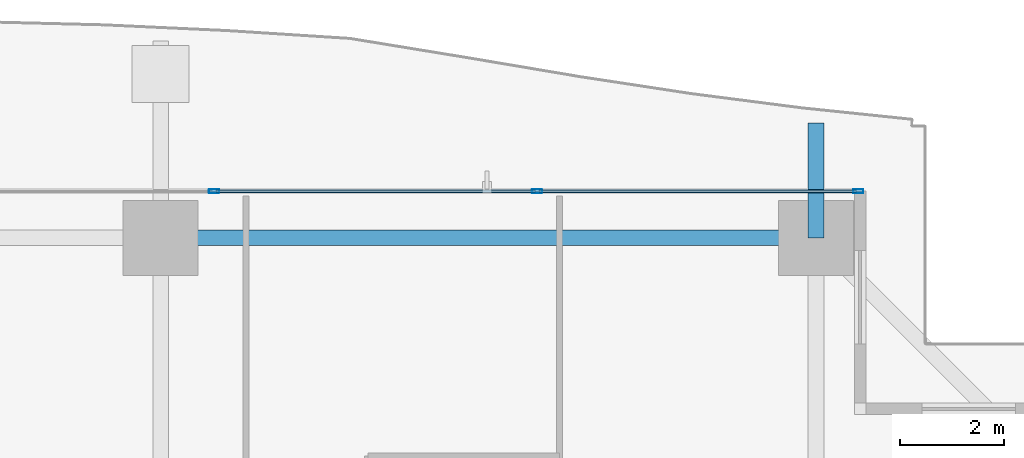
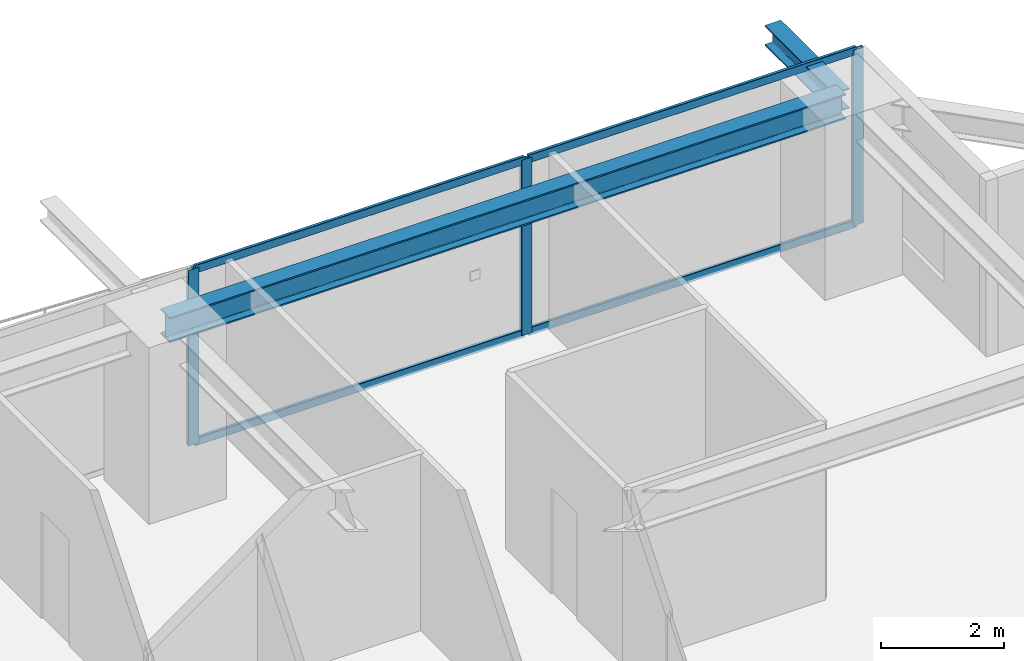
# One storey, part 25 of 39: 7 members, 2 beams, 1 element without a shape of its own.
"""IFC4 building model written with IfcOpenShell, lengths in metres."""

from ifc_helpers import new_model, si_unit, direction, frame, origin, origin_2d, place, context, subcontext, project, spatial, hollow_rectangle, i_section, extrude, source, transform, mapped, material, layer, layer_set, material_profile, profile_set, type_object, element, aggregate, save


model = new_model("IFC4")

# Units and contexts
model_context = context("Model", 3, precision=1e-05, world=origin(), true_north=direction((0.0, 1.0)))
body_context = subcontext(model_context, "Body", "Model", "MODEL_VIEW")
ifc_project = project(units=[si_unit("LENGTHUNIT", "METRE"), si_unit("AREAUNIT", "SQUARE_METRE"), si_unit("VOLUMEUNIT", "CUBIC_METRE"), si_unit("PLANEANGLEUNIT", "RADIAN"), si_unit("MASSUNIT", "GRAM", prefix="KILO")], contexts=[model_context])

# Site, building, storey
site_placement = place(None, origin())
site = spatial("IfcSite", under=ifc_project, at=site_placement, CompositionType="ELEMENT")
building_placement = place(site_placement, origin())
building = spatial("IfcBuilding", under=site, at=building_placement, Name="Serunith Strait Residences", CompositionType="ELEMENT")
storey_placement = place(building_placement, frame((0.0, 0.0, 97.949951171875)))
storey = spatial("IfcBuildingStorey", under=building, at=storey_placement, Name="L24", CompositionType="ELEMENT", Elevation=97.949951171875)

# Beams
ifc_material_1 = material(Name="Steel S355J2", Category="steel")
ifc_material_profile_1 = material_profile(ifc_material_1, i_section(OverallWidth=0.300048828125, OverallDepth=0.5, WebThickness=0.014404296875, FlangeThickness=0.028076171875, FilletRadius=0.027099609375, at=origin_2d()), Name="HEB 500")
ifc_profile_set_1 = profile_set([ifc_material_profile_1], Name="Steel S355J2")
beam_type_1 = type_object("IfcBeamType", Name="BM-HEB500", PredefinedType="BEAM", material=ifc_profile_set_1)
shared_shape_1 = source(origin(), body_context, "Body", "SweptSolid", [
    extrude(i_section(OverallWidth=0.300048828125, OverallDepth=0.5, WebThickness=0.014404296875, FlangeThickness=0.028076171875, FilletRadius=0.027099609375, at=origin_2d()), origin(), (0.0, 0.0, 1.0), 12.650146484375),
])
beam_1_placement = place(storey_placement, frame((49.550048828125, 49.300048828125, 3.237060546875), z_axis=(-1.0, 0.0, 0.0), x_axis=(0.0, -1.0, 0.0)))
element("IfcBeam", 1, at=beam_1_placement, inside=storey, type_object=beam_type_1, Name="L24 Perimeter Ring Beam 09", PredefinedType="BEAM", context=body_context, shape_type="MappedRepresentation", body=[
    mapped(shared_shape_1, transform((0.0, 0.0, 0.0), scale=1.0)),
])
ifc_material_profile_2 = material_profile(ifc_material_1, i_section(OverallWidth=0.300048828125, OverallDepth=0.39990234375, WebThickness=0.013427734375, FlangeThickness=0.02392578125, FilletRadius=0.027099609375, at=origin_2d()), Name="HEB 400")
ifc_profile_set_2 = profile_set([ifc_material_profile_2], Name="Steel S355J2")
beam_type_2 = type_object("IfcBeamType", Name="BM-HEB400", PredefinedType="BEAM", material=ifc_profile_set_2)
shared_shape_2 = source(origin(), body_context, "Body", "SweptSolid", [
    extrude(i_section(OverallWidth=0.300048828125, OverallDepth=0.39990234375, WebThickness=0.013427734375, FlangeThickness=0.02392578125, FilletRadius=0.027099609375, at=origin_2d()), origin(), (0.0, 0.0, 1.0), 2.218994140625),
])
beam_2_placement = place(storey_placement, frame((49.550048828125, 49.300048828125, 3.257080078125), z_axis=(0.0, 1.0, 0.0), x_axis=(-1.0, 0.0, 0.0)))
element("IfcBeam", 2, at=beam_2_placement, inside=storey, type_object=beam_type_2, Name="L25 Cantilevered Balcony Rib TC-N4", PredefinedType="BEAM", context=body_context, shape_type="MappedRepresentation", body=[
    mapped(shared_shape_2, transform((0.0, 0.0, 0.0), scale=1.0)),
])

# Curtain wall, members
ifc_material_2 = material(Name="Pale-Champagne Anodised Aluminium", Category="aluminium")
ifc_layer = layer(ifc_material_2, 0.199951171875, Name="Pale-Champagne Anodised Aluminium")
ifc_layer_set = layer_set([ifc_layer], Name="Pale-Champagne Anodised Aluminium")
curtain_wall_type = type_object("IfcCurtainWallType", Name="CW-SYS1", PredefinedType="NOTDEFINED", material=ifc_layer_set)
curtain_wall_placement = place(storey_placement, origin())
curtain_wall = element("IfcCurtainWall", 3, at=curtain_wall_placement, inside=storey, type_object=curtain_wall_type, Name="L24 N Unitised Fritted Curtain Wall", PredefinedType="NOTDEFINED")
ifc_material_profile_3 = material_profile(ifc_material_2, hollow_rectangle(XDim=0.070068359375, YDim=0.199951171875, WallThickness=0.00390625, InnerFilletRadius=0.006103515625, OuterFilletRadius=0.010009765625, at=origin_2d()), Name="ALU 200x70x4")
ifc_profile_set_3 = profile_set([ifc_material_profile_3], Name="Pale-Champagne Anodised Aluminium")
member_type_1 = type_object("IfcMemberType", Name="CW-SYS1-MULL", PredefinedType="MULLION", material=ifc_profile_set_3)
shared_shape_3 = source(origin(), body_context, "Body", "SweptSolid", [
    extrude(hollow_rectangle(XDim=0.070068359375, YDim=0.199951171875, WallThickness=0.00390625, InnerFilletRadius=0.006103515625, OuterFilletRadius=0.010009765625, at=origin_2d()), origin(), (0.0, 0.0, 1.0), 3.47509765625),
])
member_1_placement = place(storey_placement, frame((50.364990234375, 50.199951171875, 0.0), z_axis=(0.0, 0.0, 1.0), x_axis=(0.0, -1.0, 0.0)))
member_1 = element("IfcMember", 4, at=member_1_placement, type_object=member_type_1, Name="CW-1 mullion 1", PredefinedType="MULLION", context=body_context, shape_type="MappedRepresentation", body=[
    mapped(shared_shape_3, transform((0.0, 0.0, 0.0), scale=1.0)),
])
member_2_placement = place(storey_placement, frame((44.166748046875, 50.199951171875, 0.0), z_axis=(0.0, 0.0, 1.0), x_axis=(0.0, -1.0, 0.0)))
member_2 = element("IfcMember", 5, at=member_2_placement, type_object=member_type_1, Name="CW-1 mullion 2", PredefinedType="MULLION", context=body_context, shape_type="MappedRepresentation", body=[
    mapped(shared_shape_3, transform((0.0, 0.0, 0.0), scale=1.0)),
])
member_3_placement = place(storey_placement, frame((37.933349609375, 50.199951171875, 0.0), z_axis=(0.0, 0.0, 1.0), x_axis=(0.0, -1.0, 0.0)))
member_3 = element("IfcMember", 6, at=member_3_placement, type_object=member_type_1, Name="CW-1 mullion 3", PredefinedType="MULLION", context=body_context, shape_type="MappedRepresentation", body=[
    mapped(shared_shape_3, transform((0.0, 0.0, 0.0), scale=1.0)),
])
ifc_material_profile_4 = material_profile(ifc_material_2, hollow_rectangle(XDim=0.06005859375, YDim=0.159912109375, WallThickness=0.00341796875, InnerFilletRadius=0.00537109375, OuterFilletRadius=0.0087890625, at=origin_2d()), Name="ALU 160x60x3.5")
ifc_profile_set_4 = profile_set([ifc_material_profile_4], Name="Pale-Champagne Anodised Aluminium")
member_type_2 = type_object("IfcMemberType", Name="CW-SYS1-TRAN", PredefinedType="USERDEFINED", material=ifc_profile_set_4)
shared_shape_4 = source(origin(), body_context, "Body", "SweptSolid", [
    extrude(hollow_rectangle(XDim=0.06005859375, YDim=0.159912109375, WallThickness=0.00341796875, InnerFilletRadius=0.00537109375, OuterFilletRadius=0.0087890625, at=origin_2d()), origin(), (0.0, 0.0, 1.0), 6.12841796875),
])
member_4_placement = place(storey_placement, frame((50.330078125, 50.199951171875, 0.030029296875), z_axis=(-1.0, 0.0, 0.0), x_axis=(0.0, -1.0, 0.0)))
member_4 = element("IfcMember", 7, at=member_4_placement, type_object=member_type_2, Name="CW-1 transom 1.1", ObjectType="TRANSOM", PredefinedType="USERDEFINED", context=body_context, shape_type="MappedRepresentation", body=[
    mapped(shared_shape_4, transform((0.0, 0.0, 0.0), scale=1.0)),
])
member_5_placement = place(storey_placement, frame((50.330078125, 50.199951171875, 3.445068359375), z_axis=(-1.0, 0.0, 0.0), x_axis=(0.0, -1.0, 0.0)))
member_5 = element("IfcMember", 8, at=member_5_placement, type_object=member_type_2, Name="CW-1 transom 1.2", ObjectType="TRANSOM", PredefinedType="USERDEFINED", context=body_context, shape_type="MappedRepresentation", body=[
    mapped(shared_shape_4, transform((0.0, 0.0, 0.0), scale=1.0)),
])
shared_shape_5 = source(origin(), body_context, "Body", "SweptSolid", [
    extrude(hollow_rectangle(XDim=0.06005859375, YDim=0.159912109375, WallThickness=0.00341796875, InnerFilletRadius=0.00537109375, OuterFilletRadius=0.0087890625, at=origin_2d()), origin(), (0.0, 0.0, 1.0), 6.163330078125),
])
member_6_placement = place(storey_placement, frame((44.131591796875, 50.199951171875, 0.030029296875), z_axis=(-1.0, 0.0, 0.0), x_axis=(0.0, -1.0, 0.0)))
member_6 = element("IfcMember", 9, at=member_6_placement, type_object=member_type_2, Name="CW-1 transom 2.1", ObjectType="TRANSOM", PredefinedType="USERDEFINED", context=body_context, shape_type="MappedRepresentation", body=[
    mapped(shared_shape_5, transform((0.0, 0.0, 0.0), scale=1.0)),
])
member_7_placement = place(storey_placement, frame((44.131591796875, 50.199951171875, 3.445068359375), z_axis=(-1.0, 0.0, 0.0), x_axis=(0.0, -1.0, 0.0)))
member_7 = element("IfcMember", 10, at=member_7_placement, type_object=member_type_2, Name="CW-1 transom 2.2", ObjectType="TRANSOM", PredefinedType="USERDEFINED", context=body_context, shape_type="MappedRepresentation", body=[
    mapped(shared_shape_5, transform((0.0, 0.0, 0.0), scale=1.0)),
])
aggregate(curtain_wall, [member_1, member_2, member_3, member_4, member_5, member_6, member_7])

save(model, "model.ifc")
